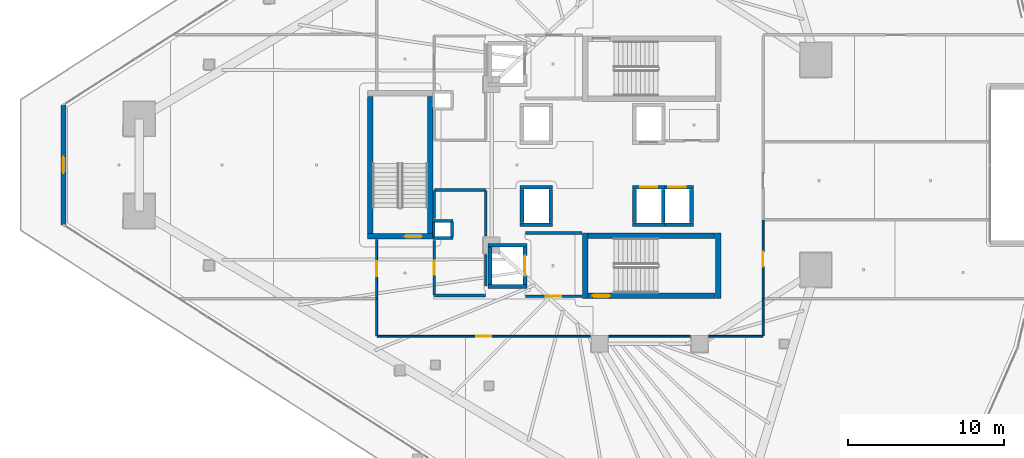
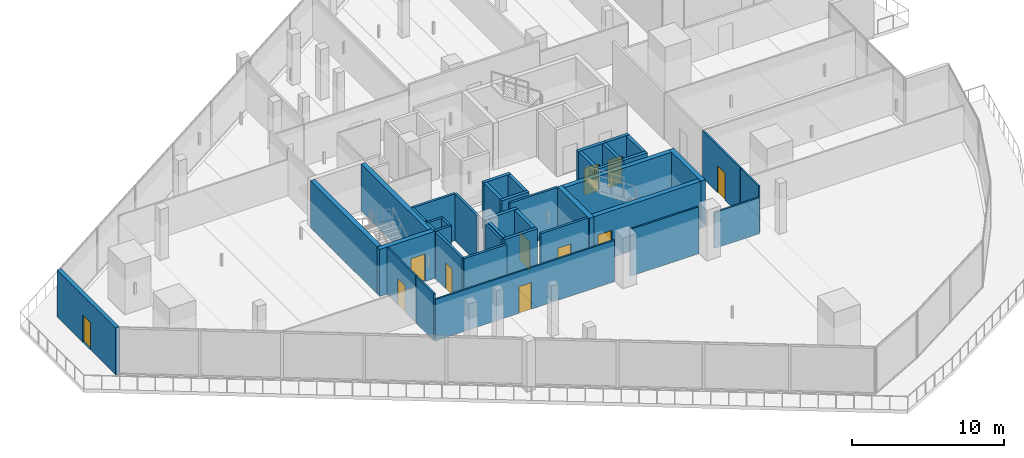
# One storey, part 23 of 35: 42 walls, 11 doors, 11 openings.
"""IFC4 building model written with IfcOpenShell, lengths in metres."""

from ifc_helpers import new_model, si_unit, direction, frame, frame_2d, origin, place, context, subcontext, project, spatial, rectangle, extrude, material, layer, layer_set, type_object, element, fill, save


model = new_model("IFC4")

# Units and contexts
model_context = context("Model", 3, precision=1e-05, world=origin(), true_north=direction((0.0, 1.0)))
body_context = subcontext(model_context, "Body", "Model", "MODEL_VIEW")
ifc_project = project(units=[si_unit("LENGTHUNIT", "METRE"), si_unit("AREAUNIT", "SQUARE_METRE"), si_unit("VOLUMEUNIT", "CUBIC_METRE"), si_unit("PLANEANGLEUNIT", "RADIAN"), si_unit("MASSUNIT", "GRAM", prefix="KILO")], contexts=[model_context])

# Site, building, storey
site_placement = place(None, origin())
site = spatial("IfcSite", under=ifc_project, at=site_placement, CompositionType="ELEMENT")
building_placement = place(site_placement, origin())
building = spatial("IfcBuilding", under=site, at=building_placement, Name="Qorvath Tower", CompositionType="ELEMENT")
storey_placement = place(building_placement, frame((0.0, 0.0, 130.050048828125)))
storey = spatial("IfcBuildingStorey", under=building, at=storey_placement, Name="L29", CompositionType="ELEMENT", Elevation=130.050048828125)

# Walls
ifc_material_1 = material(Name="Gypsum shaftliner on steel studs", Category="steel")
ifc_layer_1 = layer(ifc_material_1, 0.179931640625)
ifc_layer_set_1 = layer_set([ifc_layer_1], Name="FW-LOBBY")
wall_type_1 = type_object("IfcWallType", Name="FW-LOBBY", PredefinedType="PARTITIONING", material=ifc_layer_set_1)
for number, where, z_axis, x_axis, name in (
    (1, (-32.989990234375, -4.675048828125, 0.0), (0.0, 0.0, 1.0), (-1.0, 0.0, 0.0), "MEP Riser Shaft Enclosure Wall S-L29-S"),
    (2, (-34.260009765625, -3.594970703125, 0.0), (0.0, 0.0, 1.0), (1.0, 0.0, 0.0), "MEP Riser Shaft Enclosure Wall S-L29-N"),
):
    element("IfcWall", number, at=place(storey_placement, frame(where, z_axis=z_axis, x_axis=x_axis)), inside=storey, type_object=wall_type_1, Name=name, PredefinedType="PARTITIONING", context=body_context, shape_type="SweptSolid", body=[
        extrude(rectangle(XDim=1.27001953125, YDim=0.179931640625, at=frame_2d((0.635009765625, 0.0))), origin(), (0.0, 0.0, 1.0), 3.780029296875),
    ])
for number, where, z_axis, x_axis, name in (
    (3, (-34.205078125, -4.610107421875, 0.0), (0.0, 0.0, 1.0), (0.0, 1.0, 0.0), "MEP Riser Shaft Enclosure Wall S-L29-W"),
    (4, (-33.044921875, -3.659912109375, 0.0), (0.0, 0.0, 1.0), (0.0, -1.0, 0.0), "MEP Riser Shaft Enclosure Wall S-L29-E"),
):
    element("IfcWall", number, at=place(storey_placement, frame(where, z_axis=z_axis, x_axis=x_axis)), inside=storey, type_object=wall_type_1, Name=name, PredefinedType="PARTITIONING", context=body_context, shape_type="SweptSolid", body=[
        extrude(rectangle(XDim=0.9501953125, YDim=0.179931640625, at=frame_2d((0.47509765625, 0.0))), origin(), (0.0, 0.0, 1.0), 3.780029296875),
    ])

# Wall, opening, door
wall_1_placement = place(storey_placement, frame((-28.35498046875, -8.39990234375, 0.0), z_axis=(0.0, 0.0, 1.0), x_axis=(1.0, 0.0, 0.0)))
wall_1 = element("IfcWall", 5, at=wall_1_placement, inside=storey, type_object=wall_type_1, Name="Interior Partition IW-T1-L29-003", PredefinedType="PARTITIONING", context=body_context, shape_type="SweptSolid", body=[
    extrude(rectangle(XDim=3.6220703125, YDim=0.179931640625, at=frame_2d((1.81103515625, 0.0))), origin(), (0.0, 0.0, 1.0), 3.780029296875),
])
opening_1_placement = place(wall_1_placement, frame((1.31103515625, 0.0, 0.0)))
opening_1 = element("IfcOpeningElement", 6, at=opening_1_placement, cuts=wall_1, Name="Opening D-T1-L29-15", PredefinedType="OPENING", context=body_context, shape_type="SweptSolid", body=[
    extrude(rectangle(XDim=1.0, YDim=2.14990234375, at=frame_2d((0.5, 1.074951171875))), frame((0.0, 0.10009765625, 0.0), z_axis=(0.0, -1.0, 0.0), x_axis=(1.0, 0.0, 0.0)), (0.0, 0.0, 1.0), 0.199951171875),
])
ifc_material_2 = material(Name="Painted galvanised hollow metal", Category="steel")
door_type_1 = type_object("IfcDoorType", Name="FD-60", OperationType="NOTDEFINED", PredefinedType="DOOR", material=ifc_material_2)
door_1_placement = place(opening_1_placement, origin())
door_1 = element("IfcDoor", 7, at=door_1_placement, inside=storey, type_object=door_type_1, Name="Lobby Fire Service Elevator South Door D-T1-L29-15", OperationType="SINGLE_SWING_LEFT", OverallHeight=2.14990234375, OverallWidth=1.0, PredefinedType="DOOR", context=body_context, shape_type="SweptSolid", body=[
    extrude(rectangle(XDim=1.0, YDim=2.14990234375, at=frame_2d((0.5, 1.074951171875))), frame((0.0, 0.02490234375, 0.0), z_axis=(0.0, -1.0, 0.0), x_axis=(1.0, 0.0, 0.0)), (0.0, 0.0, 1.0), 0.050048828125),
])
fill(opening_1, door_1)

# Walls
wall_2_placement = place(storey_placement, frame((-24.73291015625, -4.35009765625, 0.0), z_axis=(0.0, 0.0, 1.0), x_axis=(-1.0, 0.0, 0.0)))
element("IfcWall", 8, at=wall_2_placement, inside=storey, type_object=wall_type_1, Name="Interior Partition IW-T1-L29-004", PredefinedType="PARTITIONING", context=body_context, shape_type="SweptSolid", body=[
    extrude(rectangle(XDim=3.6220703125, YDim=0.179931640625, at=frame_2d((1.81103515625, 0.0))), origin(), (0.0, 0.0, 1.0), 3.780029296875),
])
wall_3_placement = place(storey_placement, frame((-34.15478515625, -8.35009765625, 0.0), z_axis=(0.0, 0.0, 1.0), x_axis=(1.0, 0.0, 0.0)))
element("IfcWall", 9, at=wall_3_placement, inside=storey, type_object=wall_type_1, Name="Interior Partition IW-T1-L29-013", PredefinedType="PARTITIONING", context=body_context, shape_type="SweptSolid", body=[
    extrude(rectangle(XDim=3.25, YDim=0.179931640625, at=frame_2d((1.625, 0.0))), origin(), (0.0, 0.0, 1.0), 3.780029296875),
])
wall_4_placement = place(storey_placement, frame((-30.8798828125, -7.742919921875, 0.0), z_axis=(0.0, 0.0, 1.0), x_axis=(0.0, 1.0, 0.0)))
element("IfcWall", 10, at=wall_4_placement, inside=storey, type_object=wall_type_1, Name="Interior Partition IW-T1-L29-014", PredefinedType="PARTITIONING", context=body_context, shape_type="SweptSolid", body=[
    extrude(rectangle(XDim=2.0029296875, YDim=0.179931640625, at=frame_2d((1.00146484375, 0.0))), origin(), (0.0, 0.0, 1.0), 3.780029296875),
])
wall_5_placement = place(storey_placement, frame((-30.8798828125, -4.56005859375, 0.0), z_axis=(0.0, 0.0, 1.0), x_axis=(0.0, 1.0, 0.0)))
element("IfcWall", 11, at=wall_5_placement, inside=storey, type_object=wall_type_1, Name="Interior Partition IW-T1-L29-015", PredefinedType="PARTITIONING", context=body_context, shape_type="SweptSolid", body=[
    extrude(rectangle(XDim=2.93505859375, YDim=0.179931640625, at=frame_2d((1.467529296875, 0.0))), origin(), (0.0, 0.0, 1.0), 3.780029296875),
])
wall_6_placement = place(storey_placement, frame((-30.90478515625, -1.60009765625, 0.0), z_axis=(0.0, 0.0, 1.0), x_axis=(-1.0, 0.0, 0.0)))
element("IfcWall", 12, at=wall_6_placement, inside=storey, type_object=wall_type_1, Name="Interior Partition IW-T1-L29-016", PredefinedType="PARTITIONING", context=body_context, shape_type="SweptSolid", body=[
    extrude(rectangle(XDim=3.25, YDim=0.179931640625, at=frame_2d((1.625, 0.0))), origin(), (0.0, 0.0, 1.0), 3.780029296875),
])
wall_7_placement = place(storey_placement, frame((-34.179931640625, -1.625, 0.0), z_axis=(0.0, 0.0, 1.0), x_axis=(0.0, -1.0, 0.0)))
element("IfcWall", 13, at=wall_7_placement, inside=storey, type_object=wall_type_1, Name="Interior Partition IW-T1-L29-017", PredefinedType="PARTITIONING", context=body_context, shape_type="SweptSolid", body=[
    extrude(rectangle(XDim=1.804931640625, YDim=0.179931640625, at=frame_2d((0.90234375, 0.0))), origin(), (0.0, 0.0, 1.0), 3.780029296875),
])

# Wall, opening, door
wall_8_placement = place(storey_placement, frame((-34.179931640625, -4.840087890625, 0.0), z_axis=(0.0, 0.0, 1.0), x_axis=(0.0, -1.0, 0.0)))
wall_8 = element("IfcWall", 14, at=wall_8_placement, inside=storey, type_object=wall_type_1, Name="Interior Partition IW-T1-L29-018", PredefinedType="PARTITIONING", context=body_context, shape_type="SweptSolid", body=[
    extrude(rectangle(XDim=3.485107421875, YDim=0.179931640625, at=frame_2d((1.74267578125, 0.0))), origin(), (0.0, 0.0, 1.0), 3.780029296875),
])
opening_2_placement = place(wall_8_placement, frame((1.302490234375, 0.0, 0.0)))
opening_2 = element("IfcOpeningElement", 15, at=opening_2_placement, cuts=wall_8, Name="Opening D-T1-L29-03", PredefinedType="OPENING", context=body_context, shape_type="SweptSolid", body=[
    extrude(rectangle(XDim=0.8798828125, YDim=2.10009765625, at=frame_2d((0.43994140625, 1.050048828125))), frame((0.0, 0.10009765625, 0.0), z_axis=(0.0, -1.0, 0.0), x_axis=(1.0, 0.0, 0.0)), (0.0, 0.0, 1.0), 0.199951171875),
])
ifc_material_3 = material(Name="Painted galvanised hollow metal", Category="steel")
door_type_2 = type_object("IfcDoorType", Name="FD-60N", OperationType="NOTDEFINED", PredefinedType="DOOR", material=ifc_material_3)
door_2_placement = place(opening_2_placement, origin())
door_2 = element("IfcDoor", 16, at=door_2_placement, inside=storey, type_object=door_type_2, Name="Core electrical and cleaner room L29 Door D-T1-L29-03", OperationType="SINGLE_SWING_LEFT", OverallHeight=2.10009765625, OverallWidth=0.8798828125, PredefinedType="DOOR", context=body_context, shape_type="SweptSolid", body=[
    extrude(rectangle(XDim=0.8798828125, YDim=2.10009765625, at=frame_2d((0.43994140625, 1.050048828125))), frame((0.0, 0.02490234375, 0.0), z_axis=(0.0, -1.0, 0.0), x_axis=(1.0, 0.0, 0.0)), (0.0, 0.0, 1.0), 0.050048828125),
])
fill(opening_2, door_2)

# Walls
ifc_material_4 = material(Name="Gypsum board on metal studs with mineral wool", Category="gypsum")
ifc_layer_2 = layer(ifc_material_4, 0.125)
ifc_layer_set_2 = layer_set([ifc_layer_2], Name="IW-PART-125")
wall_type_2 = type_object("IfcWallType", Name="IW-PART-125", PredefinedType="PARTITIONING", material=ifc_layer_set_2)
wall_9_placement = place(storey_placement, frame((-13.14208984375, -10.93310546875, 0.0), z_axis=(0.0, 0.0, 1.0), x_axis=(0.0, 1.0, 0.0)))
element("IfcWall", 17, at=wall_9_placement, inside=storey, type_object=wall_type_2, Name="Interior Partition IW-T1-L29-035", PredefinedType="PARTITIONING", context=body_context, shape_type="SweptSolid", body=[
    extrude(rectangle(XDim=2.358154296875, YDim=0.125, at=frame_2d((1.17919921875, 0.0))), origin(), (0.0, 0.0, 1.0), 3.780029296875),
])
wall_10_placement = place(storey_placement, frame((-13.1669921875, -10.9580078125, 0.0), z_axis=(0.0, 0.0, 1.0), x_axis=(-1.0, 0.0, 0.0)))
element("IfcWall", 18, at=wall_10_placement, inside=storey, type_object=wall_type_2, Name="Interior Partition IW-T1-L29-036", PredefinedType="PARTITIONING", context=body_context, shape_type="SweptSolid", body=[
    extrude(rectangle(XDim=3.443115234375, YDim=0.125, at=frame_2d((1.7216796875, 0.0))), origin(), (0.0, 0.0, 1.0), 2.89501953125),
])
wall_11_placement = place(storey_placement, frame((-17.7900390625, -10.9580078125, 0.0), z_axis=(0.0, 0.0, 1.0), x_axis=(-1.0, 0.0, 0.0)))
element("IfcWall", 19, at=wall_11_placement, inside=storey, type_object=wall_type_2, Name="Interior Partition IW-T1-L29-037", PredefinedType="PARTITIONING", context=body_context, shape_type="SweptSolid", body=[
    extrude(rectangle(XDim=5.219970703125, YDim=0.125, at=frame_2d((2.60986328125, 0.0))), origin(), (0.0, 0.0, 1.0), 3.780029296875),
])

# Wall, opening, door
wall_12_placement = place(storey_placement, frame((-24.18994140625, -10.9580078125, 0.0), z_axis=(0.0, 0.0, 1.0), x_axis=(-1.0, 0.0, 0.0)))
wall_12 = element("IfcWall", 20, at=wall_12_placement, inside=storey, type_object=wall_type_2, Name="Interior Partition IW-T1-L29-038", PredefinedType="PARTITIONING", context=body_context, shape_type="SweptSolid", body=[
    extrude(rectangle(XDim=13.64306640625, YDim=0.125, at=frame_2d((6.821533203125, 0.0))), origin(), (0.0, 0.0, 1.0), 3.34423828125),
])
opening_3_placement = place(wall_12_placement, frame((6.346435546875, 0.0, 0.0)))
opening_3 = element("IfcOpeningElement", 21, at=opening_3_placement, cuts=wall_12, Name="Opening D-T1-L29-09", PredefinedType="OPENING", context=body_context, shape_type="SweptSolid", body=[
    extrude(rectangle(XDim=0.949951171875, YDim=2.14990234375, at=frame_2d((0.47509765625, 1.074951171875))), frame((0.0, 0.072509765625, 0.0), z_axis=(0.0, -1.0, 0.0), x_axis=(1.0, 0.0, 0.0)), (0.0, 0.0, 1.0), 0.14501953125),
])
ifc_material_5 = material(Name="Solid-core American white oak veneer", Category="wood")
door_type_3 = type_object("IfcDoorType", Name="D-01", OperationType="NOTDEFINED", PredefinedType="DOOR", material=ifc_material_5)
door_3_placement = place(opening_3_placement, origin())
door_3 = element("IfcDoor", 22, at=door_3_placement, inside=storey, type_object=door_type_3, Name="L29-06 Design Pin-Up Atelier Door D-T1-L29-09", OperationType="SINGLE_SWING_LEFT", OverallHeight=2.14990234375, OverallWidth=0.949951171875, PredefinedType="DOOR", context=body_context, shape_type="SweptSolid", body=[
    extrude(rectangle(XDim=0.949951171875, YDim=2.14990234375, at=frame_2d((0.47509765625, 1.074951171875))), frame((0.0, 0.02490234375, 0.0), z_axis=(0.0, -1.0, 0.0), x_axis=(1.0, 0.0, 0.0)), (0.0, 0.0, 1.0), 0.050048828125),
])
fill(opening_3, door_3)

# Wall
wall_13_placement = place(storey_placement, frame((-37.85791015625, -8.574951171875, 0.0), z_axis=(0.0, 0.0, 1.0), x_axis=(0.0, -1.0, 0.0)))
element("IfcWall", 23, at=wall_13_placement, inside=storey, type_object=wall_type_2, Name="Interior Partition IW-T1-L29-039", PredefinedType="PARTITIONING", context=body_context, shape_type="SweptSolid", body=[
    extrude(rectangle(XDim=2.358154296875, YDim=0.125, at=frame_2d((1.17919921875, 0.0))), origin(), (0.0, 0.0, 1.0), 3.780029296875),
])

# Wall, opening, door
wall_14_placement = place(storey_placement, frame((-13.14208984375, -3.53564453125, 0.0), z_axis=(0.0, 0.0, 1.0), x_axis=(0.0, -1.0, 0.0)))
wall_14 = element("IfcWall", 24, at=wall_14_placement, inside=storey, type_object=wall_type_2, Name="Interior Partition IW-T1-L29-042", PredefinedType="PARTITIONING", context=body_context, shape_type="SweptSolid", body=[
    extrude(rectangle(XDim=4.9814453125, YDim=0.125, at=frame_2d((2.49072265625, 0.0))), origin(), (0.0, 0.0, 1.0), 3.780029296875),
])
opening_4_placement = place(wall_14_placement, frame((2.015869140625, 0.0, 0.0)))
opening_4 = element("IfcOpeningElement", 25, at=opening_4_placement, cuts=wall_14, Name="Opening D-T1-L29-10", PredefinedType="OPENING", context=body_context, shape_type="SweptSolid", body=[
    extrude(rectangle(XDim=0.949951171875, YDim=2.14990234375, at=frame_2d((0.47509765625, 1.074951171875))), frame((0.0, 0.072509765625, 0.0), z_axis=(0.0, -1.0, 0.0), x_axis=(1.0, 0.0, 0.0)), (0.0, 0.0, 1.0), 0.14501953125),
])
door_4_placement = place(opening_4_placement, origin())
door_4 = element("IfcDoor", 26, at=door_4_placement, inside=storey, type_object=door_type_3, Name="L29-07 Executive Partner Office Door D-T1-L29-10", OperationType="SINGLE_SWING_RIGHT", OverallHeight=2.14990234375, OverallWidth=0.949951171875, PredefinedType="DOOR", context=body_context, shape_type="SweptSolid", body=[
    extrude(rectangle(XDim=0.949951171875, YDim=2.14990234375, at=frame_2d((0.47509765625, 1.074951171875))), frame((0.0, 0.02490234375, 0.0), z_axis=(0.0, -1.0, 0.0), x_axis=(1.0, 0.0, 0.0)), (0.0, 0.0, 1.0), 0.050048828125),
])
fill(opening_4, door_4)

wall_15_placement = place(storey_placement, frame((-37.85791015625, -8.51708984375, 0.0), z_axis=(0.0, 0.0, 1.0), x_axis=(0.0, 1.0, 0.0)))
wall_15 = element("IfcWall", 27, at=wall_15_placement, inside=storey, type_object=wall_type_2, Name="Interior Partition IW-T1-L29-047", PredefinedType="PARTITIONING", context=body_context, shape_type="SweptSolid", body=[
    extrude(rectangle(XDim=3.73388671875, YDim=0.125, at=frame_2d((1.866943359375, 0.0))), origin(), (0.0, 0.0, 1.0), 3.780029296875),
])
opening_5_placement = place(wall_15_placement, frame((1.391845703125, 0.0, 0.0)))
opening_5 = element("IfcOpeningElement", 28, at=opening_5_placement, cuts=wall_15, Name="Opening D-T1-L29-13", PredefinedType="OPENING", context=body_context, shape_type="SweptSolid", body=[
    extrude(rectangle(XDim=0.949951171875, YDim=2.14990234375, at=frame_2d((0.47509765625, 1.074951171875))), frame((0.0, 0.072509765625, 0.0), z_axis=(0.0, -1.0, 0.0), x_axis=(1.0, 0.0, 0.0)), (0.0, 0.0, 1.0), 0.14501953125),
])
door_5_placement = place(opening_5_placement, origin())
door_5 = element("IfcDoor", 29, at=door_5_placement, inside=storey, type_object=door_type_3, Name="L29-10 Quantitative Research Studio Door D-T1-L29-13", OperationType="SINGLE_SWING_LEFT", OverallHeight=2.14990234375, OverallWidth=0.949951171875, PredefinedType="DOOR", context=body_context, shape_type="SweptSolid", body=[
    extrude(rectangle(XDim=0.949951171875, YDim=2.14990234375, at=frame_2d((0.47509765625, 1.074951171875))), frame((0.0, 0.02490234375, 0.0), z_axis=(0.0, -1.0, 0.0), x_axis=(1.0, 0.0, 0.0)), (0.0, 0.0, 1.0), 0.050048828125),
])
fill(opening_5, door_5)

# Walls
ifc_material_6 = material(Name="Concrete C60/75", Category="concrete")
ifc_layer_3 = layer(ifc_material_6, 0.260009765625)
ifc_layer_set_3 = layer_set([ifc_layer_3], Name="SW-SHAFT")
wall_type_3 = type_object("IfcWallType", Name="SW-SHAFT", PredefinedType="SHEAR", material=ifc_layer_set_3)
for number, where, z_axis, x_axis, name in (
    (30, (-28.260009765625, -7.77001953125, 0.0), (0.0, 0.0, 1.0), (-1.0, 0.0, 0.0), "Hoistway Wall FSAE-2 L29 S"),
    (31, (-30.739990234375, -5.1298828125, 0.0), (0.0, 0.0, 1.0), (1.0, 0.0, 0.0), "Hoistway Wall FSAE-2 L29 N"),
):
    element("IfcWall", number, at=place(storey_placement, frame(where, z_axis=z_axis, x_axis=x_axis)), inside=storey, type_object=wall_type_3, Name=name, PredefinedType="SHEAR", context=body_context, shape_type="SweptSolid", body=[
        extrude(rectangle(XDim=2.47998046875, YDim=0.239990234375, at=frame_2d((1.239990234375, 0.0))), origin(), (0.0, 0.0, 1.0), 3.780029296875),
    ])
wall_16_placement = place(storey_placement, frame((-30.6201171875, -7.637939453125, 0.0), z_axis=(0.0, 0.0, 1.0), x_axis=(0.0, 1.0, 0.0)))
element("IfcWall", 32, at=wall_16_placement, inside=storey, type_object=wall_type_3, Name="Hoistway Wall FSAE-2 L29 W", PredefinedType="SHEAR", context=body_context, shape_type="SweptSolid", body=[
    extrude(rectangle(XDim=2.3759765625, YDim=0.239990234375, at=frame_2d((1.18798828125, 0.0))), origin(), (0.0, 0.0, 1.0), 3.780029296875),
])

# Wall, opening, door
wall_17_placement = place(storey_placement, frame((-28.3798828125, -5.261962890625, 0.0), z_axis=(0.0, 0.0, 1.0), x_axis=(0.0, -1.0, 0.0)))
wall_17 = element("IfcWall", 33, at=wall_17_placement, inside=storey, type_object=wall_type_3, Name="Hoistway Wall FSAE-2 L29 E", PredefinedType="SHEAR", context=body_context, shape_type="SweptSolid", body=[
    extrude(rectangle(XDim=2.3759765625, YDim=0.239990234375, at=frame_2d((1.18798828125, 0.0))), origin(), (0.0, 0.0, 1.0), 3.780029296875),
])
opening_6_placement = place(wall_17_placement, frame((0.5380859375, 0.0, 0.0)))
opening_6 = element("IfcOpeningElement", 34, at=opening_6_placement, cuts=wall_17, Name="Opening LD-FSAE-2-L29", PredefinedType="OPENING", context=body_context, shape_type="SweptSolid", body=[
    extrude(rectangle(XDim=1.300048828125, YDim=2.300048828125, at=frame_2d((0.64990234375, 1.14990234375))), frame((0.0, 0.1298828125, 0.0), z_axis=(0.0, -1.0, 0.0), x_axis=(1.0, 0.0, 0.0)), (0.0, 0.0, 1.0), 0.260009765625),
])
ifc_material_7 = material(Name="Brushed stainless steel AISI 316", Category="steel")
door_type_4 = type_object("IfcDoorType", Name="LD-02", OperationType="NOTDEFINED", PredefinedType="DOOR", material=ifc_material_7)
door_6_placement = place(opening_6_placement, origin())
door_6 = element("IfcDoor", 35, at=door_6_placement, inside=storey, type_object=door_type_4, Name="Elevator Landing Sliding Door LD-FSAE-2-L29", OperationType="DOUBLE_DOOR_SLIDING", OverallHeight=2.300048828125, OverallWidth=1.300048828125, PredefinedType="DOOR", context=body_context, shape_type="SweptSolid", body=[
    extrude(rectangle(XDim=1.300048828125, YDim=2.300048828125, at=frame_2d((0.64990234375, 1.14990234375))), frame((0.0, 0.02490234375, 0.0), z_axis=(0.0, -1.0, 0.0), x_axis=(1.0, 0.0, 0.0)), (0.0, 0.0, 1.0), 0.050048828125),
])
fill(opening_6, door_6)

# Walls
for number, where, z_axis, x_axis, name in (
    (36, (-26.610107421875, -3.820068359375, 0.0), (0.0, 0.0, 1.0), (-1.0, 0.0, 0.0), "Hoistway Wall PS-2 L29 S"),
    (37, (-28.68994140625, -1.429931640625, 0.0), (0.0, 0.0, 1.0), (1.0, 0.0, 0.0), "Hoistway Wall PS-2 L29 N"),
):
    element("IfcWall", number, at=place(storey_placement, frame(where, z_axis=z_axis, x_axis=x_axis)), inside=storey, type_object=wall_type_3, Name=name, PredefinedType="SHEAR", context=body_context, shape_type="SweptSolid", body=[
        extrude(rectangle(XDim=2.079833984375, YDim=0.239990234375, at=frame_2d((1.0400390625, 0.0))), origin(), (0.0, 0.0, 1.0), 3.780029296875),
    ])
for number, where, z_axis, x_axis, name in (
    (38, (-28.570068359375, -3.68798828125, 0.0), (0.0, 0.0, 1.0), (0.0, 1.0, 0.0), "Hoistway Wall PS-2 L29 W"),
    (39, (-26.72998046875, -1.56201171875, 0.0), (0.0, 0.0, 1.0), (0.0, -1.0, 0.0), "Hoistway Wall PS-2 L29 E"),
):
    element("IfcWall", number, at=place(storey_placement, frame(where, z_axis=z_axis, x_axis=x_axis)), inside=storey, type_object=wall_type_3, Name=name, PredefinedType="SHEAR", context=body_context, shape_type="SweptSolid", body=[
        extrude(rectangle(XDim=2.1259765625, YDim=0.239990234375, at=frame_2d((1.06298828125, 0.0))), origin(), (0.0, 0.0, 1.0), 3.780029296875),
    ])
wall_18_placement = place(storey_placement, frame((-19.409912109375, -3.820068359375, 0.0), z_axis=(0.0, 0.0, 1.0), x_axis=(-1.0, 0.0, 0.0)))
element("IfcWall", 40, at=wall_18_placement, inside=storey, type_object=wall_type_3, Name="Hoistway Wall PM-2 L29 S", PredefinedType="SHEAR", context=body_context, shape_type="SweptSolid", body=[
    extrude(rectangle(XDim=2.080078125, YDim=0.239990234375, at=frame_2d((1.0400390625, 0.0))), origin(), (0.0, 0.0, 1.0), 3.780029296875),
])

# Wall, opening, door
wall_19_placement = place(storey_placement, frame((-21.489990234375, -1.429931640625, 0.0), z_axis=(0.0, 0.0, 1.0), x_axis=(1.0, 0.0, 0.0)))
wall_19 = element("IfcWall", 41, at=wall_19_placement, inside=storey, type_object=wall_type_3, Name="Hoistway Wall PM-2 L29 N", PredefinedType="SHEAR", context=body_context, shape_type="SweptSolid", body=[
    extrude(rectangle(XDim=2.080078125, YDim=0.239990234375, at=frame_2d((1.0400390625, 0.0))), origin(), (0.0, 0.0, 1.0), 3.780029296875),
])
opening_7_placement = place(wall_19_placement, frame((0.489990234375, 0.0, 0.0)))
opening_7 = element("IfcOpeningElement", 42, at=opening_7_placement, cuts=wall_19, Name="Opening LD-PM-2-L29", PredefinedType="OPENING", context=body_context, shape_type="SweptSolid", body=[
    extrude(rectangle(XDim=1.10009765625, YDim=2.199951171875, at=frame_2d((0.550048828125, 1.10009765625))), frame((0.0, 0.1298828125, 0.0), z_axis=(0.0, -1.0, 0.0), x_axis=(1.0, 0.0, 0.0)), (0.0, 0.0, 1.0), 0.260009765625),
])
ifc_material_8 = material(Name="Brushed stainless steel AISI 316", Category="steel")
door_type_5 = type_object("IfcDoorType", Name="LD-01", OperationType="NOTDEFINED", PredefinedType="DOOR", material=ifc_material_8)
door_7_placement = place(opening_7_placement, origin())
door_7 = element("IfcDoor", 43, at=door_7_placement, inside=storey, type_object=door_type_5, Name="Elevator Landing Sliding Door LD-PM-2-L29", OperationType="DOUBLE_DOOR_SLIDING", OverallHeight=2.199951171875, OverallWidth=1.10009765625, PredefinedType="DOOR", context=body_context, shape_type="SweptSolid", body=[
    extrude(rectangle(XDim=1.10009765625, YDim=2.199951171875, at=frame_2d((0.550048828125, 1.10009765625))), frame((0.0, 0.02490234375, 0.0), z_axis=(0.0, -1.0, 0.0), x_axis=(1.0, 0.0, 0.0)), (0.0, 0.0, 1.0), 0.050048828125),
])
fill(opening_7, door_7)

# Walls
for number, where, z_axis, x_axis, name in (
    (44, (-21.3701171875, -3.68798828125, 0.0), (0.0, 0.0, 1.0), (0.0, 1.0, 0.0), "Hoistway Wall PM-2 L29 W"),
    (45, (-19.530029296875, -1.56201171875, 0.0), (0.0, 0.0, 1.0), (0.0, -1.0, 0.0), "Hoistway Wall PM-2 L29 E"),
):
    element("IfcWall", number, at=place(storey_placement, frame(where, z_axis=z_axis, x_axis=x_axis)), inside=storey, type_object=wall_type_3, Name=name, PredefinedType="SHEAR", context=body_context, shape_type="SweptSolid", body=[
        extrude(rectangle(XDim=2.1259765625, YDim=0.239990234375, at=frame_2d((1.06298828125, 0.0))), origin(), (0.0, 0.0, 1.0), 3.780029296875),
    ])
wall_20_placement = place(storey_placement, frame((-17.610107421875, -3.820068359375, 0.0), z_axis=(0.0, 0.0, 1.0), x_axis=(-1.0, 0.0, 0.0)))
element("IfcWall", 46, at=wall_20_placement, inside=storey, type_object=wall_type_3, Name="Hoistway Wall PM-3 L29 S", PredefinedType="SHEAR", context=body_context, shape_type="SweptSolid", body=[
    extrude(rectangle(XDim=1.7998046875, YDim=0.239990234375, at=frame_2d((0.89990234375, 0.0))), origin(), (0.0, 0.0, 1.0), 3.780029296875),
])

# Wall, opening, door
wall_21_placement = place(storey_placement, frame((-19.409912109375, -1.429931640625, 0.0), z_axis=(0.0, 0.0, 1.0), x_axis=(1.0, 0.0, 0.0)))
wall_21 = element("IfcWall", 47, at=wall_21_placement, inside=storey, type_object=wall_type_3, Name="Hoistway Wall PM-3 L29 N", PredefinedType="SHEAR", context=body_context, shape_type="SweptSolid", body=[
    extrude(rectangle(XDim=1.7998046875, YDim=0.239990234375, at=frame_2d((0.89990234375, 0.0))), origin(), (0.0, 0.0, 1.0), 3.780029296875),
])
opening_8_placement = place(wall_21_placement, frame((0.2099609375, 0.0, 0.0)))
opening_8 = element("IfcOpeningElement", 48, at=opening_8_placement, cuts=wall_21, Name="Opening LD-PM-3-L29", PredefinedType="OPENING", context=body_context, shape_type="SweptSolid", body=[
    extrude(rectangle(XDim=1.10009765625, YDim=2.199951171875, at=frame_2d((0.550048828125, 1.10009765625))), frame((0.0, 0.1298828125, 0.0), z_axis=(0.0, -1.0, 0.0), x_axis=(1.0, 0.0, 0.0)), (0.0, 0.0, 1.0), 0.260009765625),
])
door_8_placement = place(opening_8_placement, origin())
door_8 = element("IfcDoor", 49, at=door_8_placement, inside=storey, type_object=door_type_5, Name="Elevator Landing Sliding Door LD-PM-3-L29", OperationType="DOUBLE_DOOR_SLIDING", OverallHeight=2.199951171875, OverallWidth=1.10009765625, PredefinedType="DOOR", context=body_context, shape_type="SweptSolid", body=[
    extrude(rectangle(XDim=1.10009765625, YDim=2.199951171875, at=frame_2d((0.550048828125, 1.10009765625))), frame((0.0, 0.02490234375, 0.0), z_axis=(0.0, -1.0, 0.0), x_axis=(1.0, 0.0, 0.0)), (0.0, 0.0, 1.0), 0.050048828125),
])
fill(opening_8, door_8)

# Walls
wall_22_placement = place(storey_placement, frame((-17.72998046875, -1.56201171875, 0.0), z_axis=(0.0, 0.0, 1.0), x_axis=(0.0, -1.0, 0.0)))
element("IfcWall", 50, at=wall_22_placement, inside=storey, type_object=wall_type_3, Name="Hoistway Wall PM-3 L29 E", PredefinedType="SHEAR", context=body_context, shape_type="SweptSolid", body=[
    extrude(rectangle(XDim=2.1259765625, YDim=0.239990234375, at=frame_2d((1.06298828125, 0.0))), origin(), (0.0, 0.0, 1.0), 3.780029296875),
])
ifc_material_9 = material(Name="Concrete C60/75", Category="concrete")
ifc_layer_4 = layer(ifc_material_9, 0.35009765625)
ifc_layer_set_4 = layer_set([ifc_layer_4], Name="SW-STAIR")
wall_type_4 = type_object("IfcWallType", Name="SW-STAIR", PredefinedType="SHEAR", material=ifc_layer_set_4)
for number, where, z_axis, x_axis, name in (
    (51, (-24.52490234375, -4.340087890625, 0.0), (0.0, 0.0, 1.0), (0.0, -1.0, 0.0), "Stair TS2 Shear Wall L29 NEAR"),
    (52, (-16.02490234375, -8.550048828125, 0.0), (0.0, 0.0, 1.0), (0.0, 1.0, 0.0), "Stair TS2 Shear Wall L29 FAR"),
):
    element("IfcWall", number, at=place(storey_placement, frame(where, z_axis=z_axis, x_axis=x_axis)), inside=storey, type_object=wall_type_4, Name=name, PredefinedType="SHEAR", context=body_context, shape_type="SweptSolid", body=[
        extrude(rectangle(XDim=4.2099609375, YDim=0.35009765625, at=frame_2d((2.10498046875, 0.0))), origin(), (0.0, 0.0, 1.0), 3.780029296875),
    ])

# Wall, opening, door
wall_23_placement = place(storey_placement, frame((-24.3349609375, -8.375, 0.0), z_axis=(0.0, 0.0, 1.0), x_axis=(1.0, 0.0, 0.0)))
wall_23 = element("IfcWall", 53, at=wall_23_placement, inside=storey, type_object=wall_type_4, Name="Stair TS2 Shear Wall L29 LEFT", PredefinedType="SHEAR", context=body_context, shape_type="SweptSolid", body=[
    extrude(rectangle(XDim=8.119873046875, YDim=0.35009765625, at=frame_2d((4.06005859375, 0.0))), origin(), (0.0, 0.0, 1.0), 3.780029296875),
])
opening_9_placement = place(wall_23_placement, frame((0.280029296875, 0.0, 0.0)))
opening_9 = element("IfcOpeningElement", 54, at=opening_9_placement, cuts=wall_23, Name="Opening D-TS2-L29", PredefinedType="OPENING", context=body_context, shape_type="SweptSolid", body=[
    extrude(rectangle(XDim=1.10009765625, YDim=2.199951171875, at=frame_2d((0.550048828125, 1.10009765625))), frame((0.0, 0.18505859375, 0.0), z_axis=(0.0, -1.0, 0.0), x_axis=(1.0, 0.0, 0.0)), (0.0, 0.0, 1.0), 0.3701171875),
])
ifc_material_10 = material(Name="Painted galvanised hollow metal", Category="steel")
door_type_6 = type_object("IfcDoorType", Name="FD-90", OperationType="NOTDEFINED", PredefinedType="DOOR", material=ifc_material_10)
door_9_placement = place(opening_9_placement, origin())
door_9 = element("IfcDoor", 55, at=door_9_placement, inside=storey, type_object=door_type_6, Name="Stair TS2 Fire Door L29", OperationType="SINGLE_SWING_RIGHT", OverallHeight=2.199951171875, OverallWidth=1.10009765625, PredefinedType="DOOR", context=body_context, shape_type="SweptSolid", body=[
    extrude(rectangle(XDim=1.10009765625, YDim=2.199951171875, at=frame_2d((0.550048828125, 1.10009765625))), frame((0.0, 0.02490234375, 0.0), z_axis=(0.0, -1.0, 0.0), x_axis=(1.0, 0.0, 0.0)), (0.0, 0.0, 1.0), 0.050048828125),
])
fill(opening_9, door_9)

# Wall
wall_24_placement = place(storey_placement, frame((-16.215087890625, -4.514892578125, 0.0), z_axis=(0.0, 0.0, 1.0), x_axis=(-1.0, 0.0, 0.0)))
element("IfcWall", 56, at=wall_24_placement, inside=storey, type_object=wall_type_4, Name="Stair TS2 Shear Wall L29 RIGHT", PredefinedType="SHEAR", context=body_context, shape_type="SweptSolid", body=[
    extrude(rectangle(XDim=8.119873046875, YDim=0.35009765625, at=frame_2d((4.06005859375, 0.0))), origin(), (0.0, 0.0, 1.0), 3.780029296875),
])

# Wall, opening, door
wall_25_placement = place(storey_placement, frame((-38.4599609375, -4.574951171875, 0.0), z_axis=(0.0, 0.0, 1.0), x_axis=(1.0, 0.0, 0.0)))
wall_25 = element("IfcWall", 57, at=wall_25_placement, inside=storey, type_object=wall_type_4, Name="Stair TS3 Shear Wall L29 NEAR", PredefinedType="SHEAR", context=body_context, shape_type="SweptSolid", body=[
    extrude(rectangle(XDim=4.2099609375, YDim=0.35009765625, at=frame_2d((2.10498046875, 0.0))), origin(), (0.0, 0.0, 1.0), 3.780029296875),
])
opening_10_placement = place(wall_25_placement, frame((2.389892578125, 0.0, 0.0)))
opening_10 = element("IfcOpeningElement", 58, at=opening_10_placement, cuts=wall_25, Name="Opening D-TS3-L29", PredefinedType="OPENING", context=body_context, shape_type="SweptSolid", body=[
    extrude(rectangle(XDim=1.10009765625, YDim=2.199951171875, at=frame_2d((0.550048828125, 1.10009765625))), frame((0.0, 0.18505859375, 0.0), z_axis=(0.0, -1.0, 0.0), x_axis=(1.0, 0.0, 0.0)), (0.0, 0.0, 1.0), 0.3701171875),
])
door_10_placement = place(opening_10_placement, origin())
door_10 = element("IfcDoor", 59, at=door_10_placement, inside=storey, type_object=door_type_6, Name="Stair TS3 Fire Door L29", OperationType="SINGLE_SWING_RIGHT", OverallHeight=2.199951171875, OverallWidth=1.10009765625, PredefinedType="DOOR", context=body_context, shape_type="SweptSolid", body=[
    extrude(rectangle(XDim=1.10009765625, YDim=2.199951171875, at=frame_2d((0.550048828125, 1.10009765625))), frame((0.0, 0.02490234375, 0.0), z_axis=(0.0, -1.0, 0.0), x_axis=(1.0, 0.0, 0.0)), (0.0, 0.0, 1.0), 0.050048828125),
])
fill(opening_10, door_10)

# Walls
for number, where, z_axis, x_axis, name in (
    (60, (-34.425048828125, -4.385009765625, 0.0), (0.0, 0.0, 1.0), (0.0, 1.0, 0.0), "Stair TS3 Shear Wall L29 LEFT"),
    (61, (-38.284912109375, 4.385009765625, 0.0), (0.0, 0.0, 1.0), (0.0, -1.0, 0.0), "Stair TS3 Shear Wall L29 RIGHT"),
):
    element("IfcWall", number, at=place(storey_placement, frame(where, z_axis=z_axis, x_axis=x_axis)), inside=storey, type_object=wall_type_4, Name=name, PredefinedType="SHEAR", context=body_context, shape_type="SweptSolid", body=[
        extrude(rectangle(XDim=8.77001953125, YDim=0.35009765625, at=frame_2d((4.385009765625, 0.0))), origin(), (0.0, 0.0, 1.0), 3.780029296875),
    ])

# Wall, opening, door
ifc_material_11 = material(Name="Precast concrete C45/55", Category="concrete")
ifc_layer_5 = layer(ifc_material_11, 0.300048828125)
ifc_layer_set_5 = layer_set([ifc_layer_5], Name="WL-EW-LOG-300")
wall_type_5 = type_object("IfcWallType", Name="WL-EW-LOG-300", PredefinedType="SOLIDWALL", material=ifc_layer_set_5)
wall_26_placement = place(storey_placement, frame((-57.88916015625, -3.8486328125, 0.0), z_axis=(0.0, 0.0, 1.0), x_axis=(0.0, 1.0, 0.0)))
wall_26 = element("IfcWall", 62, at=wall_26_placement, inside=storey, type_object=wall_type_5, Name="Tower Precast Loggia Wall L29-1.1", PredefinedType="SOLIDWALL", context=body_context, shape_type="SweptSolid", body=[
    extrude(rectangle(XDim=7.697265625, YDim=0.300048828125, at=frame_2d((3.8486328125, 0.0))), origin(), (0.0, 0.0, 1.0), 3.780029296875),
])
opening_11_placement = place(wall_26_placement, frame((3.323486328125, 0.0, 0.0)))
opening_11 = element("IfcOpeningElement", 63, at=opening_11_placement, cuts=wall_26, Name="Opening ED-L29-01", PredefinedType="OPENING", context=body_context, shape_type="SweptSolid", body=[
    extrude(rectangle(XDim=1.050048828125, YDim=2.199951171875, at=frame_2d((0.52490234375, 1.10009765625))), frame((0.0, 0.16015625, 0.0), z_axis=(0.0, -1.0, 0.0), x_axis=(1.0, 0.0, 0.0)), (0.0, 0.0, 1.0), 0.320068359375),
])
ifc_material_12 = material(Name="Thermally broken aluminium glazed door", Category="aluminium")
door_type_7 = type_object("IfcDoorType", Name="ED-LOG", OperationType="NOTDEFINED", PredefinedType="DOOR", material=ifc_material_12)
door_11_placement = place(opening_11_placement, origin())
door_11 = element("IfcDoor", 64, at=door_11_placement, inside=storey, type_object=door_type_7, Name="L29 Recessed Loggia Access Door 1", OperationType="SINGLE_SWING_LEFT", OverallHeight=2.199951171875, OverallWidth=1.050048828125, PredefinedType="DOOR", context=body_context, shape_type="SweptSolid", body=[
    extrude(rectangle(XDim=1.050048828125, YDim=2.199951171875, at=frame_2d((0.52490234375, 1.10009765625))), frame((0.0, 0.02490234375, 0.0), z_axis=(0.0, -1.0, 0.0), x_axis=(1.0, 0.0, 0.0)), (0.0, 0.0, 1.0), 0.050048828125),
])
fill(opening_11, door_11)

save(model, "model.ifc")
